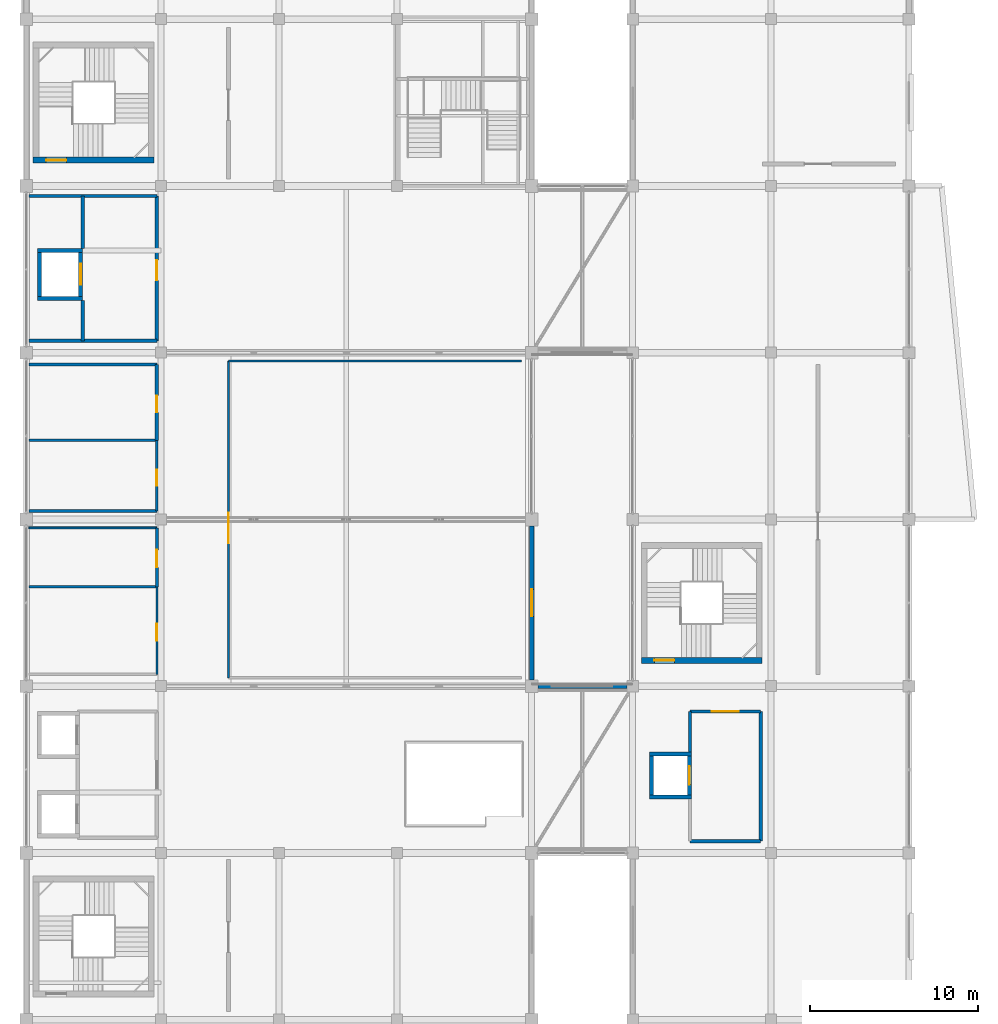
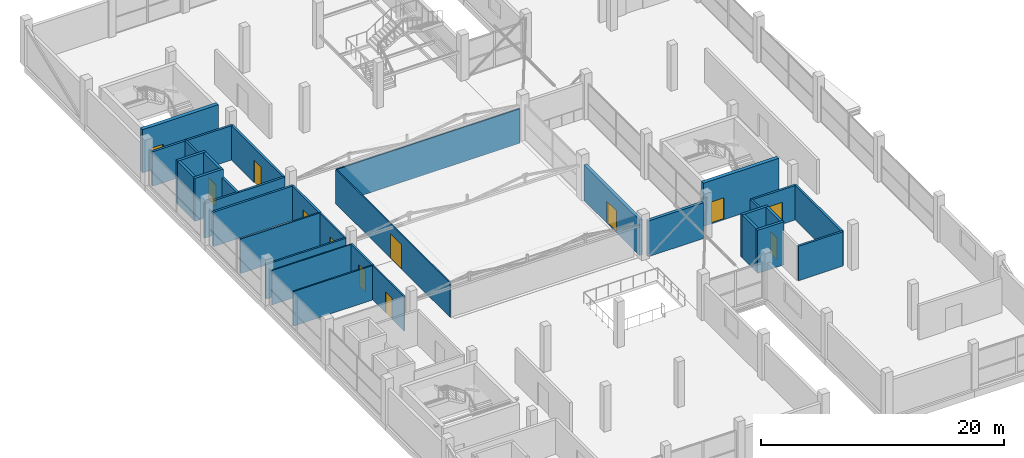
# One storey, part 56 of 69: 32 walls, 12 doors, 12 openings.
"""IFC4 building model written with IfcOpenShell, lengths in metres."""

import ifcopenshell
import ifcopenshell.guid

model = None  # the IFC model being written
_history = None  # IfcOwnerHistory: only IFC2X3 demands one
_inside = {}  # id of a spatial element -> (the spatial element, [elements in it])
_under = {}  # id of a project, library or spatial element -> (it, [spatial elements below it])
_declared = {}  # id of a project -> (the project, [libraries it declares])
_typed = {}  # id of a type object -> (the type object, [elements of that type])
_made_of = {}  # id of a material, layer set ... -> (it, [elements and type objects made of it])


def new_model(schema):
    """Start an empty IFC model of exactly this schema.

    Asked for "IFC4X3", IfcOpenShell would pick the latest addendum, in which some entities
    have other attributes; the version numbers below select the first issue.
    IFC2X3 requires an IfcOwnerHistory on every rooted entity: one is made here for all.
    """
    global model, _history
    if schema == "IFC4X3":
        model = ifcopenshell.file(schema_version=(4, 3, 0, 0))
    else:
        model = ifcopenshell.file(schema=schema)
    _inside.clear()
    _under.clear()
    _declared.clear()
    _typed.clear()
    _made_of.clear()
    _history = None
    if model.schema == "IFC2X3":
        org = make("IfcOrganization", Name="unknown")
        user = make(
            "IfcPersonAndOrganization",
            ThePerson=make("IfcPerson", FamilyName="unknown"),
            TheOrganization=org,
        )
        app = make(
            "IfcApplication",
            ApplicationDeveloper=org,
            Version="unknown",
            ApplicationFullName="unknown",
            ApplicationIdentifier="unknown",
        )
        _history = make(
            "IfcOwnerHistory",
            OwningUser=user,
            OwningApplication=app,
            ChangeAction="ADDED",
            CreationDate=0,
        )
    return model


def make(cls, **values):
    """One entity of the class cls with the attributes given. An attribute that is None is left unset."""
    return model.create_entity(
        cls, **{name: value for name, value in values.items() if value is not None}
    )


def rooted(cls, **values):
    """An entity with a GlobalId (a new one), such as an element, a storey or a relation."""
    return make(cls, GlobalId=ifcopenshell.guid.new(), OwnerHistory=_history, **values)


def si_unit(unit_type, name, prefix=None):
    """IfcSIUnit, for example si_unit("LENGTHUNIT", "METRE", prefix="MILLI")."""
    return make("IfcSIUnit", UnitType=unit_type, Prefix=prefix, Name=name)


def assignment(units):
    """IfcUnitAssignment: the units of a project."""
    return None if units is None else make("IfcUnitAssignment", Units=units)


def point(xyz):
    """IfcCartesianPoint."""
    return None if xyz is None else make("IfcCartesianPoint", Coordinates=xyz)


def direction(xyz):
    """IfcDirection."""
    return None if xyz is None else make("IfcDirection", DirectionRatios=xyz)


def frame(location, z_axis=None, x_axis=None):
    """IfcAxis2Placement3D, a coordinate frame: its origin and axes. An axis left out is left unset."""
    return make(
        "IfcAxis2Placement3D",
        Location=point(location),
        Axis=direction(z_axis),
        RefDirection=direction(x_axis),
    )


def frame_2d(location, x_axis=None):
    """IfcAxis2Placement2D, a coordinate frame in the plane: its origin and x axis."""
    return make(
        "IfcAxis2Placement2D", Location=point(location), RefDirection=direction(x_axis)
    )


def origin():
    """The frame at (0, 0, 0) with its axes left unset."""
    return frame((0.0, 0.0, 0.0))


def place(relative_to, where):
    """IfcLocalPlacement: puts the frame where relative to a parent placement (None: the world)."""
    return make(
        "IfcLocalPlacement", PlacementRelTo=relative_to, RelativePlacement=where
    )


def context(
    kind, dimensions, precision=None, world=None, true_north=None, identifier=None
):
    """IfcGeometricRepresentationContext, for example the 3D "Model" context."""
    return make(
        "IfcGeometricRepresentationContext",
        ContextIdentifier=identifier,
        ContextType=kind,
        CoordinateSpaceDimension=dimensions,
        Precision=precision,
        WorldCoordinateSystem=world,
        TrueNorth=true_north,
    )


def subcontext(parent, identifier, kind, view, scale=None):
    """IfcGeometricRepresentationSubContext, for example "Body" below "Model"."""
    return make(
        "IfcGeometricRepresentationSubContext",
        ContextIdentifier=identifier,
        ContextType=kind,
        ParentContext=parent,
        TargetScale=scale,
        TargetView=view,
    )


def project(units=None, contexts=None):
    """IfcProject with its units and contexts."""
    return rooted(
        "IfcProject",
        Name="project",
        RepresentationContexts=contexts,
        UnitsInContext=assignment(units),
    )


def spatial(cls, under=None, at=None, **own):
    """A site, building, storey or space (cls), placed at a placement, below another one or the project."""
    s = rooted(cls, ObjectPlacement=at, **own)
    if under is not None:
        _under.setdefault(under.id(), (under, []))[1].append(s)
    return s


def profile(cls, at=None, kind="AREA", **sizes):
    """A parametric profile (cls). Its sizes go by their IFC names, for example OverallWidth=200.0."""
    return make(cls, ProfileType=kind, Position=at, **sizes)


def rectangle(**sizes):
    """IfcRectangleProfileDef."""
    return profile("IfcRectangleProfileDef", **sizes)


def extrude(swept, where, along, depth):
    """IfcExtrudedAreaSolid: the profile swept, set in the frame where, extruded along a direction by depth."""
    return make(
        "IfcExtrudedAreaSolid",
        SweptArea=swept,
        Position=where,
        ExtrudedDirection=direction(along),
        Depth=depth,
    )


def shape(context_of_items, identifier, shape_type, items):
    """IfcShapeRepresentation: the items that make up one representation, for example the "Body"."""
    return make(
        "IfcShapeRepresentation",
        ContextOfItems=context_of_items,
        RepresentationIdentifier=identifier,
        RepresentationType=shape_type,
        Items=items,
    )


def material(Name=None, Category=None):
    """IfcMaterial."""
    return make("IfcMaterial", Name=Name, Category=Category)


def layer(
    of_material, thickness, ventilated=None, Name=None, Category=None, Priority=None
):
    """IfcMaterialLayer: one layer of a wall or slab, of a material (None: an air gap)."""
    return make(
        "IfcMaterialLayer",
        Material=of_material,
        LayerThickness=thickness,
        IsVentilated=ventilated,
        Name=Name,
        Category=Category,
        Priority=Priority,
    )


def layer_set(layers, Name=None):
    """IfcMaterialLayerSet."""
    return make("IfcMaterialLayerSet", MaterialLayers=layers, LayerSetName=Name)


def made_of(thing, what):
    """Note that an element or type object is made of a material, layer set ...; save() writes the relation."""
    if what is not None:
        _made_of.setdefault(what.id(), (what, []))[1].append(thing)
    return thing


def type_object(cls, material=None, **own):
    """A type object (cls), such as IfcWallType, which elements share."""
    return made_of(rooted(cls, **own), material)


def element(
    cls,
    number,
    at=None,
    inside=None,
    cuts=None,
    type_object=None,
    material=None,
    context=None,
    identifier="Body",
    shape_type=None,
    held_by="IfcProductDefinitionShape",
    body=None,
    shapes=None,
    **own,
):
    """One element of the class cls, such as IfcWall. Its Tag is "e" and its number.

    at: its placement. inside: the storey or other place that contains it. cuts: it is an
    opening in that element (IfcRelVoidsElement). A single representation is given by context,
    identifier, shape_type and body (its items); several are given by shapes. held_by: the class
    of the entity that holds the representations. save() writes the other relations.
    """
    e = rooted(cls, Tag="e%d" % number, ObjectPlacement=at, **own)
    if body is not None:
        shapes = [shape(context, identifier, shape_type, body)]
    if shapes is not None:
        e.Representation = make(held_by, Representations=shapes)
    if inside is not None:
        _inside.setdefault(inside.id(), (inside, []))[1].append(e)
    if cuts is not None:
        rooted(
            "IfcRelVoidsElement", RelatingBuildingElement=cuts, RelatedOpeningElement=e
        )
    if type_object is not None:
        _typed.setdefault(type_object.id(), (type_object, []))[1].append(e)
    return made_of(e, material)


def fill(opening, filler):
    """IfcRelFillsElement: the door or window that sits in an opening."""
    return rooted(
        "IfcRelFillsElement",
        RelatingOpeningElement=opening,
        RelatedBuildingElement=filler,
    )


def aggregate(whole, parts):
    """IfcRelAggregates: a whole, such as a stair, and the parts it consists of."""
    return rooted("IfcRelAggregates", RelatingObject=whole, RelatedObjects=parts)


def save(model, path):
    """Write the relations noted so far, then the file.

    IfcRelAggregates (storeys below a building ...), IfcRelContainedInSpatialStructure (elements
    in a storey), IfcRelDefinesByType, IfcRelAssociatesMaterial and IfcRelDeclares: one each for
    every whole, place, type object, material and project.
    """
    for whole, parts in _under.values():
        aggregate(whole, parts)
    for where, things in _inside.values():
        rooted(
            "IfcRelContainedInSpatialStructure",
            RelatedElements=things,
            RelatingStructure=where,
        )
    for kind, things in _typed.values():
        rooted("IfcRelDefinesByType", RelatedObjects=things, RelatingType=kind)
    for what, things in _made_of.values():
        rooted("IfcRelAssociatesMaterial", RelatedObjects=things, RelatingMaterial=what)
    for by, libraries in _declared.values():
        rooted("IfcRelDeclares", RelatingContext=by, RelatedDefinitions=libraries)
    model.write(path)


model = new_model("IFC4")

# Units and contexts
model_context = context("Model", 3, precision=1e-05, world=origin(), true_north=direction((0.0, 1.0)))
body_context = subcontext(model_context, "Body", "Model", "MODEL_VIEW")
ifc_project = project(units=[si_unit("LENGTHUNIT", "METRE"), si_unit("AREAUNIT", "SQUARE_METRE"), si_unit("VOLUMEUNIT", "CUBIC_METRE"), si_unit("PLANEANGLEUNIT", "RADIAN"), si_unit("MASSUNIT", "GRAM", prefix="KILO")], contexts=[model_context])

# Site, building, storey
site_placement = place(None, origin())
site = spatial("IfcSite", under=ifc_project, at=site_placement, CompositionType="ELEMENT")
building_placement = place(site_placement, origin())
building = spatial("IfcBuilding", under=site, at=building_placement, Name="Sillaruma Civic Art Gallery", CompositionType="ELEMENT")
storey_placement = place(building_placement, frame((0.0, 0.0, 42.330078125)))
storey = spatial("IfcBuildingStorey", under=building, at=storey_placement, Name="L08", CompositionType="ELEMENT", Elevation=42.330078125)

# Wall, opening, door
ifc_material_1 = material(Name="Concrete H40 (40 MPa)", Category="concrete")
ifc_layer_1 = layer(ifc_material_1, 0.35009765625, Name="Concrete H40 (40 MPa)")
ifc_layer_set_1 = layer_set([ifc_layer_1], Name="Concrete H40 (40 MPa)")
wall_type_1 = type_object("IfcWallType", Name="WAL-CORE-350", PredefinedType="SHEAR", material=ifc_layer_set_1)
wall_1_placement = place(storey_placement, frame((62.409912109375, 80.735107421875, 0.0), z_axis=(0.0, 0.0, 1.0), x_axis=(1.0, 0.0, 0.0)))
wall_1 = element("IfcWall", 1, at=wall_1_placement, inside=storey, type_object=wall_type_1, Name="Stair Core Shear Wall W-CORE-350 (ST-02:L08:S)", PredefinedType="SHEAR", context=body_context, shape_type="SweptSolid", body=[
    extrude(rectangle(XDim=7.18017578125, YDim=0.35009765625, at=frame_2d((3.590087890625, 0.0))), origin(), (0.0, 0.0, 1.0), 4.33984375),
])
opening_1_placement = place(wall_1_placement, frame((0.77001953125, 0.0, 0.0)))
opening_1 = element("IfcOpeningElement", 2, at=opening_1_placement, cuts=wall_1, Name="Opening D-STAIR", PredefinedType="OPENING", context=body_context, shape_type="SweptSolid", body=[
    extrude(rectangle(XDim=1.199951171875, YDim=2.199951171875, at=frame_2d((0.60009765625, 1.10009765625))), frame((0.0, 0.18505859375, 0.0), z_axis=(0.0, -1.0, 0.0), x_axis=(1.0, 0.0, 0.0)), (0.0, 0.0, 1.0), 0.3701171875),
])
ifc_material_2 = material(Name="Galvanised Steel ASTM A653 Gr.50", Category="steel")
door_type_1 = type_object("IfcDoorType", Name="DOR-STAIR-120", OperationType="NOTDEFINED", PredefinedType="DOOR", material=ifc_material_2)
door_1_placement = place(opening_1_placement, origin())
door_1 = element("IfcDoor", 3, at=door_1_placement, inside=storey, type_object=door_type_1, Name="Protected Stair Fire Door (ST-02:L08)", OperationType="SINGLE_SWING_RIGHT", OverallHeight=2.199951171875, OverallWidth=1.199951171875, PredefinedType="DOOR", context=body_context, shape_type="SweptSolid", body=[
    extrude(rectangle(XDim=1.199951171875, YDim=2.199951171875, at=frame_2d((0.60009765625, 1.10009765625))), frame((0.0, 0.02490234375, 0.0), z_axis=(0.0, -1.0, 0.0), x_axis=(1.0, 0.0, 0.0)), (0.0, 0.0, 1.0), 0.050048828125),
])
fill(opening_1, door_1)

wall_2_placement = place(storey_placement, frame((98.510009765625, 51.034912109375, 0.0), z_axis=(0.0, 0.0, 1.0), x_axis=(1.0, 0.0, 0.0)))
wall_2 = element("IfcWall", 4, at=wall_2_placement, inside=storey, type_object=wall_type_1, Name="Stair Core Shear Wall W-CORE-350 (ST-04:L08:S)", PredefinedType="SHEAR", context=body_context, shape_type="SweptSolid", body=[
    extrude(rectangle(XDim=7.179931640625, YDim=0.35009765625, at=frame_2d((3.58984375, 0.0))), origin(), (0.0, 0.0, 1.0), 4.33984375),
])
opening_2_placement = place(wall_2_placement, frame((0.77001953125, 0.0, 0.0)))
opening_2 = element("IfcOpeningElement", 5, at=opening_2_placement, cuts=wall_2, Name="Opening D-STAIR", PredefinedType="OPENING", context=body_context, shape_type="SweptSolid", body=[
    extrude(rectangle(XDim=1.199951171875, YDim=2.199951171875, at=frame_2d((0.60009765625, 1.10009765625))), frame((0.0, 0.18505859375, 0.0), z_axis=(0.0, -1.0, 0.0), x_axis=(1.0, 0.0, 0.0)), (0.0, 0.0, 1.0), 0.3701171875),
])
door_2_placement = place(opening_2_placement, origin())
door_2 = element("IfcDoor", 6, at=door_2_placement, inside=storey, type_object=door_type_1, Name="Protected Stair Fire Door (ST-04:L08)", OperationType="SINGLE_SWING_RIGHT", OverallHeight=2.199951171875, OverallWidth=1.199951171875, PredefinedType="DOOR", context=body_context, shape_type="SweptSolid", body=[
    extrude(rectangle(XDim=1.199951171875, YDim=2.199951171875, at=frame_2d((0.60009765625, 1.10009765625))), frame((0.0, 0.02490234375, 0.0), z_axis=(0.0, -1.0, 0.0), x_axis=(1.0, 0.0, 0.0)), (0.0, 0.0, 1.0), 0.050048828125),
])
fill(opening_2, door_2)

ifc_material_3 = material(Name="Concrete H35 (35 MPa)", Category="concrete")
ifc_layer_2 = layer(ifc_material_3, 0.159912109375, Name="Concrete backup", Category="concrete")
ifc_material_4 = material(Name="Mineral Wool Thermal Insulation", Category="insulation")
ifc_layer_3 = layer(ifc_material_4, 0.090087890625, Name="Thermal insulation", Category="insulation")
ifc_material_5 = material(Name="Anodised Zinc-Aluminium Alloy", Category="aluminium")
ifc_layer_4 = layer(ifc_material_5, 0.030029296875, Name="Rainscreen finish", Category="aluminium")
ifc_layer_set_2 = layer_set([ifc_layer_2, ifc_layer_3, ifc_layer_4], Name="W-EXT-280")
wall_type_2 = type_object("IfcWallType", Name="WAL-EXT-280", PredefinedType="SOLIDWALL", material=ifc_layer_set_2)
wall_3_placement = place(storey_placement, frame((92.0, 49.875, 0.0), z_axis=(0.0, 0.0, 1.0), x_axis=(0.0, 1.0, 0.0)))
wall_3 = element("IfcWall", 7, at=wall_3_placement, inside=storey, type_object=wall_type_2, Name="Exterior Wall W-EXT-280 (EW-L08-WBEC-4)", PredefinedType="SOLIDWALL", context=body_context, shape_type="SweptSolid", body=[
    extrude(rectangle(XDim=9.14990234375, YDim=0.280029296875, at=frame_2d((4.574951171875, 0.0))), origin(), (0.0, 0.0, 1.0), 3.58984375),
])
opening_3_placement = place(wall_3_placement, frame((3.77490234375, 0.0, 0.0)))
opening_3 = element("IfcOpeningElement", 8, at=opening_3_placement, cuts=wall_3, Name="Opening D-TER2", PredefinedType="OPENING", context=body_context, shape_type="SweptSolid", body=[
    extrude(rectangle(XDim=1.60009765625, YDim=2.199951171875, at=frame_2d((0.800048828125, 1.10009765625))), frame((0.0, 0.14990234375, 0.0), z_axis=(0.0, -1.0, 0.0), x_axis=(1.0, 0.0, 0.0)), (0.0, 0.0, 1.0), 0.300048828125),
])
ifc_material_6 = material(Name="Thermally Broken Extruded Aluminium 6063-T6", Category="aluminium")
door_type_2 = type_object("IfcDoorType", Name="DOR-TER-160", OperationType="NOTDEFINED", PredefinedType="DOOR", material=ifc_material_6)
door_3_placement = place(opening_3_placement, frame((1.60009765625, 0.0, 0.0), z_axis=(0.0, 0.0, 1.0), x_axis=(-1.0, 0.0, 0.0)))
door_3 = element("IfcDoor", 9, at=door_3_placement, inside=storey, type_object=door_type_2, Name="L08 Sky Canyon Terrace Door", OperationType="DOUBLE_DOOR_SINGLE_SWING", OverallHeight=2.199951171875, OverallWidth=1.60009765625, PredefinedType="DOOR", context=body_context, shape_type="SweptSolid", body=[
    extrude(rectangle(XDim=1.60009765625, YDim=2.199951171875, at=frame_2d((0.800048828125, 1.10009765625))), frame((0.0, 0.02490234375, 0.0), z_axis=(0.0, -1.0, 0.0), x_axis=(1.0, 0.0, 0.0)), (0.0, 0.0, 1.0), 0.050048828125),
])
fill(opening_3, door_3)

# Walls
wall_4_placement = place(storey_placement, frame((92.375, 49.5, 0.0), z_axis=(0.0, 0.0, 1.0), x_axis=(1.0, 0.0, 0.0)))
element("IfcWall", 10, at=wall_4_placement, inside=storey, type_object=wall_type_2, Name="Exterior Wall W-EXT-280 (EW-BRG-S-L08-N)", PredefinedType="SOLIDWALL", context=body_context, shape_type="SweptSolid", body=[
    extrude(rectangle(XDim=5.27490234375, YDim=0.280029296875, at=frame_2d((2.637451171875, 0.0))), origin(), (0.0, 0.0, 1.0), 3.58984375),
])
ifc_material_7 = material(Name="Concrete Masonry Unit Grade M15", Category="masonry")
ifc_layer_5 = layer(ifc_material_7, 0.199951171875, Name="Concrete Masonry Unit Grade M15")
ifc_layer_set_3 = layer_set([ifc_layer_5], Name="Concrete Masonry Unit Grade M15")
wall_type_3 = type_object("IfcWallType", Name="WAL-LOBBY-200", PredefinedType="SOLIDWALL", material=ifc_layer_set_3)
for number, where, z_axis, x_axis, name in (
    (11, (62.14990234375, 70.0, 0.0), (0.0, 0.0, 1.0), (1.0, 0.0, 0.0), "Interior Wall W-LOBBY-200 (L08-FFL)"),
    (12, (62.14990234375, 78.60009765625, 0.0), (0.0, 0.0, 1.0), (1.0, 0.0, 0.0), "Interior Wall W-LOBBY-200 (L08-FFL)"),
):
    element("IfcWall", number, at=place(storey_placement, frame(where, z_axis=z_axis, x_axis=x_axis)), inside=storey, type_object=wall_type_3, Name=name, PredefinedType="SOLIDWALL", context=body_context, shape_type="SweptSolid", body=[
        extrude(rectangle(XDim=7.60009765625, YDim=0.199951171875, at=frame_2d((3.800048828125, 0.0))), origin(), (0.0, 0.0, 1.0), 3.4599609375),
    ])
wall_5_placement = place(storey_placement, frame((65.35009765625, 70.0, 0.0), z_axis=(0.0, 0.0, 1.0), x_axis=(0.0, 1.0, 0.0)))
element("IfcWall", 13, at=wall_5_placement, inside=storey, type_object=wall_type_3, Name="Interior Wall W-LOBBY-200 (L08-FFL)", PredefinedType="SOLIDWALL", context=body_context, shape_type="SweptSolid", body=[
    extrude(rectangle(XDim=2.39990234375, YDim=0.199951171875, at=frame_2d((1.199951171875, 0.0))), origin(), (0.0, 0.0, 1.0), 3.4599609375),
])
wall_6_placement = place(storey_placement, frame((65.35009765625, 75.5, 0.0), z_axis=(0.0, 0.0, 1.0), x_axis=(0.0, 1.0, 0.0)))
element("IfcWall", 14, at=wall_6_placement, inside=storey, type_object=wall_type_3, Name="Interior Wall W-LOBBY-200 (L08-FFL)", PredefinedType="SOLIDWALL", context=body_context, shape_type="SweptSolid", body=[
    extrude(rectangle(XDim=3.10009765625, YDim=0.199951171875, at=frame_2d((1.550048828125, 0.0))), origin(), (0.0, 0.0, 1.0), 3.4599609375),
])

# Wall, opening, door
wall_7_placement = place(storey_placement, frame((69.75, 70.0, 0.0), z_axis=(0.0, 0.0, 1.0), x_axis=(0.0, 1.0, 0.0)))
wall_7 = element("IfcWall", 15, at=wall_7_placement, inside=storey, type_object=wall_type_3, Name="Interior Wall W-LOBBY-200 (L08-FFL)", PredefinedType="SOLIDWALL", context=body_context, shape_type="SweptSolid", body=[
    extrude(rectangle(XDim=8.60009765625, YDim=0.199951171875, at=frame_2d((4.300048828125, 0.0))), origin(), (0.0, 0.0, 1.0), 3.4599609375),
])
opening_4_placement = place(wall_7_placement, frame((3.60009765625, 0.0, 0.0)))
opening_4 = element("IfcOpeningElement", 16, at=opening_4_placement, cuts=wall_7, Name="Opening D-FFL", PredefinedType="OPENING", context=body_context, shape_type="SweptSolid", body=[
    extrude(rectangle(XDim=1.199951171875, YDim=2.25, at=frame_2d((0.60009765625, 1.125))), frame((0.0, 0.10986328125, 0.0), z_axis=(0.0, -1.0, 0.0), x_axis=(1.0, 0.0, 0.0)), (0.0, 0.0, 1.0), 0.219970703125),
])
door_type_3 = type_object("IfcDoorType", Name="DOR-FFL-120", OperationType="NOTDEFINED", PredefinedType="DOOR", material=ifc_material_2)
door_4_placement = place(opening_4_placement, origin())
door_4 = element("IfcDoor", 17, at=door_4_placement, inside=storey, type_object=door_type_3, Name="Firefighting Lobby Door (D-FFL)", OperationType="SINGLE_SWING_LEFT", OverallHeight=2.25, OverallWidth=1.199951171875, PredefinedType="DOOR", context=body_context, shape_type="SweptSolid", body=[
    extrude(rectangle(XDim=1.199951171875, YDim=2.25, at=frame_2d((0.60009765625, 1.125))), frame((0.0, 0.02490234375, 0.0), z_axis=(0.0, -1.0, 0.0), x_axis=(1.0, 0.0, 0.0)), (0.0, 0.0, 1.0), 0.050048828125),
])
fill(opening_4, door_4)

# Wall
wall_8_placement = place(storey_placement, frame((62.14990234375, 68.60009765625, 0.0), z_axis=(0.0, 0.0, 1.0), x_axis=(1.0, 0.0, 0.0)))
element("IfcWall", 18, at=wall_8_placement, inside=storey, type_object=wall_type_3, Name="Interior Wall W-LOBBY-200 (L08-RSR)", PredefinedType="SOLIDWALL", context=body_context, shape_type="SweptSolid", body=[
    extrude(rectangle(XDim=7.60009765625, YDim=0.199951171875, at=frame_2d((3.800048828125, 0.0))), origin(), (0.0, 0.0, 1.0), 3.4599609375),
])

# Wall, opening, door
wall_9_placement = place(storey_placement, frame((69.75, 64.10009765625, 0.0), z_axis=(0.0, 0.0, 1.0), x_axis=(0.0, 1.0, 0.0)))
wall_9 = element("IfcWall", 19, at=wall_9_placement, inside=storey, type_object=wall_type_3, Name="Interior Wall W-LOBBY-200 (L08-RSR)", PredefinedType="SOLIDWALL", context=body_context, shape_type="SweptSolid", body=[
    extrude(rectangle(XDim=4.5, YDim=0.199951171875, at=frame_2d((2.25, 0.0))), origin(), (0.0, 0.0, 1.0), 3.4599609375),
])
opening_5_placement = place(wall_9_placement, frame((1.64990234375, 0.0, 0.0)))
opening_5 = element("IfcOpeningElement", 20, at=opening_5_placement, cuts=wall_9, Name="Opening D-RISER", PredefinedType="OPENING", context=body_context, shape_type="SweptSolid", body=[
    extrude(rectangle(XDim=1.0, YDim=2.14990234375, at=frame_2d((0.5, 1.074951171875))), frame((0.0, 0.10986328125, 0.0), z_axis=(0.0, -1.0, 0.0), x_axis=(1.0, 0.0, 0.0)), (0.0, 0.0, 1.0), 0.219970703125),
])
door_type_4 = type_object("IfcDoorType", Name="DOR-RISER-100", OperationType="NOTDEFINED", PredefinedType="DOOR", material=ifc_material_2)
door_5_placement = place(opening_5_placement, origin())
door_5 = element("IfcDoor", 21, at=door_5_placement, inside=storey, type_object=door_type_4, Name="MEP Service Riser Door (D-RISER)", OperationType="SINGLE_SWING_LEFT", OverallHeight=2.14990234375, OverallWidth=1.0, PredefinedType="DOOR", context=body_context, shape_type="SweptSolid", body=[
    extrude(rectangle(XDim=1.0, YDim=2.14990234375, at=frame_2d((0.5, 1.074951171875))), frame((0.0, 0.02490234375, 0.0), z_axis=(0.0, -1.0, 0.0), x_axis=(1.0, 0.0, 0.0)), (0.0, 0.0, 1.0), 0.050048828125),
])
fill(opening_5, door_5)

# Walls
wall_10_placement = place(storey_placement, frame((101.39990234375, 40.300048828125, 0.0), z_axis=(0.0, 0.0, 1.0), x_axis=(1.0, 0.0, 0.0)))
element("IfcWall", 22, at=wall_10_placement, inside=storey, type_object=wall_type_3, Name="Interior Wall W-LOBBY-200 (L08-LLE)", PredefinedType="SOLIDWALL", context=body_context, shape_type="SweptSolid", body=[
    extrude(rectangle(XDim=4.2001953125, YDim=0.199951171875, at=frame_2d((2.10009765625, 0.0))), origin(), (0.0, 0.0, 1.0), 3.4599609375),
])
wall_11_placement = place(storey_placement, frame((101.39990234375, 45.60009765625, 0.0), z_axis=(0.0, 0.0, 1.0), x_axis=(0.0, 1.0, 0.0)))
element("IfcWall", 23, at=wall_11_placement, inside=storey, type_object=wall_type_3, Name="Interior Wall W-LOBBY-200 (L08-LLE)", PredefinedType="SOLIDWALL", context=body_context, shape_type="SweptSolid", body=[
    extrude(rectangle(XDim=2.39990234375, YDim=0.199951171875, at=frame_2d((1.199951171875, 0.0))), origin(), (0.0, 0.0, 1.0), 3.4599609375),
])
wall_12_placement = place(storey_placement, frame((105.60009765625, 40.300048828125, 0.0), z_axis=(0.0, 0.0, 1.0), x_axis=(0.0, 1.0, 0.0)))
element("IfcWall", 24, at=wall_12_placement, inside=storey, type_object=wall_type_3, Name="Interior Wall W-LOBBY-200 (L08-LLE)", PredefinedType="SOLIDWALL", context=body_context, shape_type="SweptSolid", body=[
    extrude(rectangle(XDim=7.699951171875, YDim=0.199951171875, at=frame_2d((3.85009765625, 0.0))), origin(), (0.0, 0.0, 1.0), 3.4599609375),
])

# Wall, opening, door
wall_13_placement = place(storey_placement, frame((101.39990234375, 48.0, 0.0), z_axis=(0.0, 0.0, 1.0), x_axis=(1.0, 0.0, 0.0)))
wall_13 = element("IfcWall", 25, at=wall_13_placement, inside=storey, type_object=wall_type_3, Name="Interior Wall W-LOBBY-200 (L08-LLE)", PredefinedType="SOLIDWALL", context=body_context, shape_type="SweptSolid", body=[
    extrude(rectangle(XDim=4.2001953125, YDim=0.199951171875, at=frame_2d((2.10009765625, 0.0))), origin(), (0.0, 0.0, 1.0), 3.4599609375),
])
opening_6_placement = place(wall_13_placement, frame((1.300048828125, 0.0, 0.0)))
opening_6 = element("IfcOpeningElement", 26, at=opening_6_placement, cuts=wall_13, Name="Opening D-LOBBY", PredefinedType="OPENING", context=body_context, shape_type="SweptSolid", body=[
    extrude(rectangle(XDim=1.60009765625, YDim=2.199951171875, at=frame_2d((0.800048828125, 1.10009765625))), frame((0.0, 0.10986328125, 0.0), z_axis=(0.0, -1.0, 0.0), x_axis=(1.0, 0.0, 0.0)), (0.0, 0.0, 1.0), 0.219970703125),
])
door_type_5 = type_object("IfcDoorType", Name="DOR-LOBBY-160", OperationType="NOTDEFINED", PredefinedType="DOOR", material=ifc_material_6)
door_6_placement = place(opening_6_placement, origin())
door_6 = element("IfcDoor", 27, at=door_6_placement, inside=storey, type_object=door_type_5, Name="East Lift Lobby Door (D-LOBBY)", OperationType="DOUBLE_DOOR_SINGLE_SWING", OverallHeight=2.199951171875, OverallWidth=1.60009765625, PredefinedType="DOOR", context=body_context, shape_type="SweptSolid", body=[
    extrude(rectangle(XDim=1.60009765625, YDim=2.199951171875, at=frame_2d((0.800048828125, 1.10009765625))), frame((0.0, 0.02490234375, 0.0), z_axis=(0.0, -1.0, 0.0), x_axis=(1.0, 0.0, 0.0)), (0.0, 0.0, 1.0), 0.050048828125),
])
fill(opening_6, door_6)

# Wall
ifc_material_8 = material(Name="Gypsum Acoustic Board", Category="gypsum")
ifc_layer_6 = layer(ifc_material_8, 0.02490234375, Name="Finish board", Category="gypsum")
ifc_layer_7 = layer(ifc_material_4, 0.06005859375, Name="Acoustic core", Category="insulation")
ifc_material_9 = material(Name="Andean Oak Timber", Category="wood")
ifc_layer_8 = layer(ifc_material_9, 0.02490234375, Name="Gallery lining", Category="wood")
ifc_layer_set_4 = layer_set([ifc_layer_6, ifc_layer_7, ifc_layer_8], Name="W-PT-110")
wall_type_4 = type_object("IfcWallType", Name="WAL-PART-110", PredefinedType="PARTITIONING", material=ifc_layer_set_4)
wall_14_placement = place(storey_placement, frame((62.14990234375, 58.89990234375, 0.0), z_axis=(0.0, 0.0, 1.0), x_axis=(1.0, 0.0, 0.0)))
element("IfcWall", 28, at=wall_14_placement, inside=storey, type_object=wall_type_4, Name="Interior Wall W-PT-110 (L08-WCA)", PredefinedType="PARTITIONING", context=body_context, shape_type="SweptSolid", body=[
    extrude(rectangle(XDim=7.60009765625, YDim=0.110107421875, at=frame_2d((3.800048828125, 0.0))), origin(), (0.0, 0.0, 1.0), 3.4599609375),
])

# Wall, opening, door
wall_15_placement = place(storey_placement, frame((74.0, 50.0, 0.0), z_axis=(0.0, 0.0, 1.0), x_axis=(0.0, 1.0, 0.0)))
wall_15 = element("IfcWall", 29, at=wall_15_placement, inside=storey, type_object=wall_type_4, Name="Interior Wall W-PT-110 (L08-GAL81)", PredefinedType="PARTITIONING", context=body_context, shape_type="SweptSolid", body=[
    extrude(rectangle(XDim=18.800048828125, YDim=0.110107421875, at=frame_2d((9.39990234375, 0.0))), origin(), (0.0, 0.0, 1.0), 3.4599609375),
])
opening_7_placement = place(wall_15_placement, frame((8.0, 0.0, 0.0)))
opening_7 = element("IfcOpeningElement", 30, at=opening_7_placement, cuts=wall_15, Name="Opening D-GAL18", PredefinedType="OPENING", context=body_context, shape_type="SweptSolid", body=[
    extrude(rectangle(XDim=1.800048828125, YDim=2.449951171875, at=frame_2d((0.89990234375, 1.22509765625))), frame((0.0, 0.06494140625, 0.0), z_axis=(0.0, -1.0, 0.0), x_axis=(1.0, 0.0, 0.0)), (0.0, 0.0, 1.0), 0.130126953125),
])
door_type_6 = type_object("IfcDoorType", Name="DOR-GAL-180", OperationType="NOTDEFINED", PredefinedType="DOOR", material=ifc_material_9)
door_7_placement = place(opening_7_placement, origin())
door_7 = element("IfcDoor", 31, at=door_7_placement, inside=storey, type_object=door_type_6, Name="Sky Canyon Paired Gallery Door (D-GAL18)", OperationType="DOUBLE_DOOR_SINGLE_SWING", OverallHeight=2.449951171875, OverallWidth=1.800048828125, PredefinedType="DOOR", context=body_context, shape_type="SweptSolid", body=[
    extrude(rectangle(XDim=1.800048828125, YDim=2.449951171875, at=frame_2d((0.89990234375, 1.22509765625))), frame((0.0, 0.02490234375, 0.0), z_axis=(0.0, -1.0, 0.0), x_axis=(1.0, 0.0, 0.0)), (0.0, 0.0, 1.0), 0.050048828125),
])
fill(opening_7, door_7)

ifc_layer_9 = layer(ifc_material_8, 0.02490234375, Name="Finish board", Category="gypsum")
ifc_layer_10 = layer(ifc_material_4, 0.070068359375, Name="Acoustic core", Category="insulation")
ifc_layer_11 = layer(ifc_material_9, 0.02490234375, Name="Gallery lining", Category="wood")
ifc_layer_set_5 = layer_set([ifc_layer_9, ifc_layer_10, ifc_layer_11], Name="W-PT-120")
wall_type_5 = type_object("IfcWallType", Name="WAL-PART-120", PredefinedType="PARTITIONING", material=ifc_layer_set_5)
wall_16_placement = place(storey_placement, frame((69.75, 50.199951171875, 0.0), z_axis=(0.0, 0.0, 1.0), x_axis=(0.0, 1.0, 0.0)))
wall_16 = element("IfcWall", 32, at=wall_16_placement, inside=storey, type_object=wall_type_5, Name="Interior Wall W-PT-120 (L08-WC1)", PredefinedType="PARTITIONING", context=body_context, shape_type="SweptSolid", body=[
    extrude(rectangle(XDim=5.199951171875, YDim=0.1201171875, at=frame_2d((2.60009765625, 0.0))), origin(), (0.0, 0.0, 1.0), 3.4599609375),
])
opening_8_placement = place(wall_16_placement, frame((2.0, 0.0, 0.0)))
opening_8 = element("IfcOpeningElement", 33, at=opening_8_placement, cuts=wall_16, Name="Opening D-WC10", PredefinedType="OPENING", context=body_context, shape_type="SweptSolid", body=[
    extrude(rectangle(XDim=1.0, YDim=2.10009765625, at=frame_2d((0.5, 1.050048828125))), frame((0.0, 0.070068359375, 0.0), z_axis=(0.0, -1.0, 0.0), x_axis=(1.0, 0.0, 0.0)), (0.0, 0.0, 1.0), 0.14013671875),
])
door_type_7 = type_object("IfcDoorType", Name="DOR-WC-100", OperationType="NOTDEFINED", PredefinedType="DOOR", material=ifc_material_9)
door_8_placement = place(opening_8_placement, origin())
door_8 = element("IfcDoor", 34, at=door_8_placement, inside=storey, type_object=door_type_7, Name="Public WC Door (D-WC10)", OperationType="SINGLE_SWING_RIGHT", OverallHeight=2.10009765625, OverallWidth=1.0, PredefinedType="DOOR", context=body_context, shape_type="SweptSolid", body=[
    extrude(rectangle(XDim=1.0, YDim=2.10009765625, at=frame_2d((0.5, 1.050048828125))), frame((0.0, 0.02490234375, 0.0), z_axis=(0.0, -1.0, 0.0), x_axis=(1.0, 0.0, 0.0)), (0.0, 0.0, 1.0), 0.050048828125),
])
fill(opening_8, door_8)

# Walls
wall_17_placement = place(storey_placement, frame((74.0, 68.800048828125, 0.0), z_axis=(0.0, 0.0, 1.0), x_axis=(1.0, 0.0, 0.0)))
element("IfcWall", 35, at=wall_17_placement, inside=storey, type_object=wall_type_5, Name="Interior Wall W-PT-120 (L08-GAL81)", PredefinedType="PARTITIONING", context=body_context, shape_type="SweptSolid", body=[
    extrude(rectangle(XDim=17.39990234375, YDim=0.1201171875, at=frame_2d((8.699951171875, 0.0))), origin(), (0.0, 0.0, 1.0), 3.4599609375),
])
ifc_layer_12 = layer(ifc_material_8, 0.02490234375, Name="Finish board", Category="gypsum")
ifc_layer_13 = layer(ifc_material_4, 0.080078125, Name="Acoustic core", Category="insulation")
ifc_layer_14 = layer(ifc_material_9, 0.02490234375, Name="Gallery lining", Category="wood")
ifc_layer_set_6 = layer_set([ifc_layer_12, ifc_layer_13, ifc_layer_14], Name="W-PT-130")
wall_type_6 = type_object("IfcWallType", Name="WAL-PART-130", PredefinedType="PARTITIONING", material=ifc_layer_set_6)
wall_18_placement = place(storey_placement, frame((62.14990234375, 55.39990234375, 0.0), z_axis=(0.0, 0.0, 1.0), x_axis=(1.0, 0.0, 0.0)))
element("IfcWall", 36, at=wall_18_placement, inside=storey, type_object=wall_type_6, Name="Interior Wall W-PT-130 (L08-WC1)", PredefinedType="PARTITIONING", context=body_context, shape_type="SweptSolid", body=[
    extrude(rectangle(XDim=7.60009765625, YDim=0.1298828125, at=frame_2d((3.800048828125, 0.0))), origin(), (0.0, 0.0, 1.0), 3.4599609375),
])

# Wall, opening, door
ifc_layer_15 = layer(ifc_material_8, 0.02490234375, Name="Finish board", Category="gypsum")
ifc_layer_16 = layer(ifc_material_4, 0.090087890625, Name="Acoustic core", Category="insulation")
ifc_layer_17 = layer(ifc_material_9, 0.02490234375, Name="Gallery lining", Category="wood")
ifc_layer_set_7 = layer_set([ifc_layer_15, ifc_layer_16, ifc_layer_17], Name="W-PT-140")
wall_type_7 = type_object("IfcWallType", Name="WAL-PART-140", PredefinedType="PARTITIONING", material=ifc_layer_set_7)
wall_19_placement = place(storey_placement, frame((69.75, 59.89990234375, 0.0), z_axis=(0.0, 0.0, 1.0), x_axis=(0.0, 1.0, 0.0)))
wall_19 = element("IfcWall", 37, at=wall_19_placement, inside=storey, type_object=wall_type_7, Name="Interior Wall W-PT-140 (L08-CLN)", PredefinedType="PARTITIONING", context=body_context, shape_type="SweptSolid", body=[
    extrude(rectangle(XDim=4.2001953125, YDim=0.139892578125, at=frame_2d((2.10009765625, 0.0))), origin(), (0.0, 0.0, 1.0), 3.4599609375),
])
opening_9_placement = place(wall_19_placement, frame((1.5, 0.0, 0.0)))
opening_9 = element("IfcOpeningElement", 38, at=opening_9_placement, cuts=wall_19, Name="Opening D-SVC09", PredefinedType="OPENING", context=body_context, shape_type="SweptSolid", body=[
    extrude(rectangle(XDim=0.949951171875, YDim=2.10009765625, at=frame_2d((0.47509765625, 1.050048828125))), frame((0.0, 0.079833984375, 0.0), z_axis=(0.0, -1.0, 0.0), x_axis=(1.0, 0.0, 0.0)), (0.0, 0.0, 1.0), 0.159912109375),
])
door_type_8 = type_object("IfcDoorType", Name="DOR-SVC-095", OperationType="NOTDEFINED", PredefinedType="DOOR", material=ifc_material_9)
door_9_placement = place(opening_9_placement, origin())
door_9 = element("IfcDoor", 39, at=door_9_placement, inside=storey, type_object=door_type_8, Name="Cleaner Store Door (D-SVC09)", OperationType="SINGLE_SWING_RIGHT", OverallHeight=2.10009765625, OverallWidth=0.949951171875, PredefinedType="DOOR", context=body_context, shape_type="SweptSolid", body=[
    extrude(rectangle(XDim=0.949951171875, YDim=2.10009765625, at=frame_2d((0.47509765625, 1.050048828125))), frame((0.0, 0.02490234375, 0.0), z_axis=(0.0, -1.0, 0.0), x_axis=(1.0, 0.0, 0.0)), (0.0, 0.0, 1.0), 0.050048828125),
])
fill(opening_9, door_9)

# Walls
ifc_layer_18 = layer(ifc_material_8, 0.02490234375, Name="Finish board", Category="gypsum")
ifc_layer_19 = layer(ifc_material_4, 0.10009765625, Name="Acoustic core", Category="insulation")
ifc_layer_20 = layer(ifc_material_9, 0.02490234375, Name="Gallery lining", Category="wood")
ifc_layer_set_8 = layer_set([ifc_layer_18, ifc_layer_19, ifc_layer_20], Name="W-PT-150")
wall_type_8 = type_object("IfcWallType", Name="WAL-PART-150", PredefinedType="PARTITIONING", material=ifc_layer_set_8)
wall_20_placement = place(storey_placement, frame((62.14990234375, 64.10009765625, 0.0), z_axis=(0.0, 0.0, 1.0), x_axis=(1.0, 0.0, 0.0)))
element("IfcWall", 40, at=wall_20_placement, inside=storey, type_object=wall_type_8, Name="Interior Wall W-PT-150 (L08-CLN)", PredefinedType="PARTITIONING", context=body_context, shape_type="SweptSolid", body=[
    extrude(rectangle(XDim=7.60009765625, YDim=0.14990234375, at=frame_2d((3.800048828125, 0.0))), origin(), (0.0, 0.0, 1.0), 3.4599609375),
])
ifc_layer_21 = layer(ifc_material_8, 0.02490234375, Name="Finish board", Category="gypsum")
ifc_layer_22 = layer(ifc_material_4, 0.114990234375, Name="Acoustic core", Category="insulation")
ifc_layer_23 = layer(ifc_material_9, 0.02490234375, Name="Gallery lining", Category="wood")
ifc_layer_set_9 = layer_set([ifc_layer_21, ifc_layer_22, ifc_layer_23], Name="W-PT-165")
wall_type_9 = type_object("IfcWallType", Name="WAL-PART-165", PredefinedType="PARTITIONING", material=ifc_layer_set_9)
wall_21_placement = place(storey_placement, frame((62.14990234375, 59.89990234375, 0.0), z_axis=(0.0, 0.0, 1.0), x_axis=(1.0, 0.0, 0.0)))
element("IfcWall", 41, at=wall_21_placement, inside=storey, type_object=wall_type_9, Name="Interior Wall W-PT-165 (L08-CLN)", PredefinedType="PARTITIONING", context=body_context, shape_type="SweptSolid", body=[
    extrude(rectangle(XDim=7.60009765625, YDim=0.1650390625, at=frame_2d((3.800048828125, 0.0))), origin(), (0.0, 0.0, 1.0), 3.4599609375),
])

# Wall, opening, door
ifc_layer_24 = layer(ifc_material_8, 0.02490234375, Name="Finish board", Category="gypsum")
ifc_layer_25 = layer(ifc_material_4, 0.1298828125, Name="Acoustic core", Category="insulation")
ifc_layer_26 = layer(ifc_material_9, 0.02490234375, Name="Gallery lining", Category="wood")
ifc_layer_set_10 = layer_set([ifc_layer_24, ifc_layer_25, ifc_layer_26], Name="W-PT-180")
wall_type_10 = type_object("IfcWallType", Name="WAL-PART-180", PredefinedType="PARTITIONING", material=ifc_layer_set_10)
wall_22_placement = place(storey_placement, frame((69.75, 55.39990234375, 0.0), z_axis=(0.0, 0.0, 1.0), x_axis=(0.0, 1.0, 0.0)))
wall_22 = element("IfcWall", 42, at=wall_22_placement, inside=storey, type_object=wall_type_10, Name="Interior Wall W-PT-180 (L08-WCA)", PredefinedType="PARTITIONING", context=body_context, shape_type="SweptSolid", body=[
    extrude(rectangle(XDim=3.5, YDim=0.179931640625, at=frame_2d((1.75, 0.0))), origin(), (0.0, 0.0, 1.0), 3.4599609375),
])
opening_10_placement = place(wall_22_placement, frame((1.14990234375, 0.0, 0.0)))
opening_10 = element("IfcOpeningElement", 43, at=opening_10_placement, cuts=wall_22, Name="Opening D-AWC10", PredefinedType="OPENING", context=body_context, shape_type="SweptSolid", body=[
    extrude(rectangle(XDim=1.050048828125, YDim=2.14990234375, at=frame_2d((0.52490234375, 1.074951171875))), frame((0.0, 0.099853515625, 0.0), z_axis=(0.0, -1.0, 0.0), x_axis=(1.0, 0.0, 0.0)), (0.0, 0.0, 1.0), 0.199951171875),
])
door_type_9 = type_object("IfcDoorType", Name="DOR-AWC-105", OperationType="NOTDEFINED", PredefinedType="DOOR", material=ifc_material_9)
door_10_placement = place(opening_10_placement, origin())
door_10 = element("IfcDoor", 44, at=door_10_placement, inside=storey, type_object=door_type_9, Name="Accessible WC Door (D-AWC10)", OperationType="SINGLE_SWING_LEFT", OverallHeight=2.14990234375, OverallWidth=1.050048828125, PredefinedType="DOOR", context=body_context, shape_type="SweptSolid", body=[
    extrude(rectangle(XDim=1.050048828125, YDim=2.14990234375, at=frame_2d((0.52490234375, 1.074951171875))), frame((0.0, 0.02490234375, 0.0), z_axis=(0.0, -1.0, 0.0), x_axis=(1.0, 0.0, 0.0)), (0.0, 0.0, 1.0), 0.050048828125),
])
fill(opening_10, door_10)

# Walls
ifc_layer_27 = layer(ifc_material_1, 0.25, Name="Concrete H40 (40 MPa)")
ifc_layer_set_11 = layer_set([ifc_layer_27], Name="Concrete H40 (40 MPa)")
wall_type_11 = type_object("IfcWallType", Name="WAL-SHAFT-250", PredefinedType="SOLIDWALL", material=ifc_layer_set_11)
for number, where, z_axis, x_axis, name in (
    (45, (99.0, 42.925048828125, 0.0), (0.0, 0.0, 1.0), (1.0, 0.0, 0.0), "Lift Shaft Wall W-SHAFT-250 (PL-03:L08:S)"),
    (46, (99.0, 45.47509765625, 0.0), (0.0, 0.0, 1.0), (1.0, 0.0, 0.0), "Lift Shaft Wall W-SHAFT-250 (PL-03:L08:N)"),
):
    element("IfcWall", number, at=place(storey_placement, frame(where, z_axis=z_axis, x_axis=x_axis)), inside=storey, type_object=wall_type_11, Name=name, PredefinedType="SOLIDWALL", context=body_context, shape_type="SweptSolid", body=[
        extrude(rectangle(XDim=2.5, YDim=0.25, at=frame_2d((1.25, 0.0))), origin(), (0.0, 0.0, 1.0), 4.31982421875),
    ])
wall_23_placement = place(storey_placement, frame((99.125, 43.050048828125, 0.0), z_axis=(0.0, 0.0, 1.0), x_axis=(0.0, 1.0, 0.0)))
element("IfcWall", 47, at=wall_23_placement, inside=storey, type_object=wall_type_11, Name="Lift Shaft Wall W-SHAFT-250 (PL-03:L08:W)", PredefinedType="SOLIDWALL", context=body_context, shape_type="SweptSolid", body=[
    extrude(rectangle(XDim=2.300048828125, YDim=0.25, at=frame_2d((1.14990234375, 0.0))), origin(), (0.0, 0.0, 1.0), 4.31982421875),
])

# Wall, opening, door
wall_24_placement = place(storey_placement, frame((101.375, 43.050048828125, 0.0), z_axis=(0.0, 0.0, 1.0), x_axis=(0.0, 1.0, 0.0)))
wall_24 = element("IfcWall", 48, at=wall_24_placement, inside=storey, type_object=wall_type_11, Name="Lift Shaft Wall W-SHAFT-250 (PL-03:L08:E)", PredefinedType="SOLIDWALL", context=body_context, shape_type="SweptSolid", body=[
    extrude(rectangle(XDim=2.300048828125, YDim=0.25, at=frame_2d((1.14990234375, 0.0))), origin(), (0.0, 0.0, 1.0), 4.31982421875),
])
opening_11_placement = place(wall_24_placement, frame((0.60009765625, 0.0, 0.0)))
opening_11 = element("IfcOpeningElement", 49, at=opening_11_placement, cuts=wall_24, Name="Opening LD-01", PredefinedType="OPENING", context=body_context, shape_type="SweptSolid", body=[
    extrude(rectangle(XDim=1.10009765625, YDim=2.199951171875, at=frame_2d((0.550048828125, 1.10009765625))), frame((0.0, 0.135009765625, 0.0), z_axis=(0.0, -1.0, 0.0), x_axis=(1.0, 0.0, 0.0)), (0.0, 0.0, 1.0), 0.27001953125),
])
door_type_10 = type_object("IfcDoorType", Name="DOR-LD-01", OperationType="NOTDEFINED", PredefinedType="DOOR", material=ifc_material_2)
door_11_placement = place(opening_11_placement, origin())
door_11 = element("IfcDoor", 50, at=door_11_placement, inside=storey, type_object=door_type_10, Name="Lift Sliding Landing Door LD-01 (PL-03:L08)", OperationType="DOUBLE_DOOR_SLIDING", OverallHeight=2.199951171875, OverallWidth=1.10009765625, PredefinedType="DOOR", context=body_context, shape_type="SweptSolid", body=[
    extrude(rectangle(XDim=1.10009765625, YDim=2.199951171875, at=frame_2d((0.550048828125, 1.10009765625))), frame((0.0, 0.02490234375, 0.0), z_axis=(0.0, -1.0, 0.0), x_axis=(1.0, 0.0, 0.0)), (0.0, 0.0, 1.0), 0.050048828125),
])
fill(opening_11, door_11)

# Walls
for number, where, z_axis, x_axis, name in (
    (51, (62.64990234375, 72.52490234375, 0.0), (0.0, 0.0, 1.0), (1.0, 0.0, 0.0), "Lift Shaft Wall W-SHAFT-250 (FFL-01:L08:S)"),
    (52, (62.64990234375, 75.375, 0.0), (0.0, 0.0, 1.0), (1.0, 0.0, 0.0), "Lift Shaft Wall W-SHAFT-250 (FFL-01:L08:N)"),
):
    element("IfcWall", number, at=place(storey_placement, frame(where, z_axis=z_axis, x_axis=x_axis)), inside=storey, type_object=wall_type_11, Name=name, PredefinedType="SOLIDWALL", context=body_context, shape_type="SweptSolid", body=[
        extrude(rectangle(XDim=2.7001953125, YDim=0.25, at=frame_2d((1.35009765625, 0.0))), origin(), (0.0, 0.0, 1.0), 4.31982421875),
    ])
wall_25_placement = place(storey_placement, frame((62.77490234375, 72.64990234375, 0.0), z_axis=(0.0, 0.0, 1.0), x_axis=(0.0, 1.0, 0.0)))
element("IfcWall", 53, at=wall_25_placement, inside=storey, type_object=wall_type_11, Name="Lift Shaft Wall W-SHAFT-250 (FFL-01:L08:W)", PredefinedType="SOLIDWALL", context=body_context, shape_type="SweptSolid", body=[
    extrude(rectangle(XDim=2.60009765625, YDim=0.25, at=frame_2d((1.300048828125, 0.0))), origin(), (0.0, 0.0, 1.0), 4.31982421875),
])

# Wall, opening, door
wall_26_placement = place(storey_placement, frame((65.22509765625, 72.64990234375, 0.0), z_axis=(0.0, 0.0, 1.0), x_axis=(0.0, 1.0, 0.0)))
wall_26 = element("IfcWall", 54, at=wall_26_placement, inside=storey, type_object=wall_type_11, Name="Lift Shaft Wall W-SHAFT-250 (FFL-01:L08:E)", PredefinedType="SOLIDWALL", context=body_context, shape_type="SweptSolid", body=[
    extrude(rectangle(XDim=2.60009765625, YDim=0.25, at=frame_2d((1.300048828125, 0.0))), origin(), (0.0, 0.0, 1.0), 4.31982421875),
])
opening_12_placement = place(wall_26_placement, frame((0.675048828125, 0.0, 0.0)))
opening_12 = element("IfcOpeningElement", 55, at=opening_12_placement, cuts=wall_26, Name="Opening LD-02", PredefinedType="OPENING", context=body_context, shape_type="SweptSolid", body=[
    extrude(rectangle(XDim=1.25, YDim=2.199951171875, at=frame_2d((0.625, 1.10009765625))), frame((0.0, 0.135009765625, 0.0), z_axis=(0.0, -1.0, 0.0), x_axis=(1.0, 0.0, 0.0)), (0.0, 0.0, 1.0), 0.27001953125),
])
door_type_11 = type_object("IfcDoorType", Name="DOR-LD-02", OperationType="NOTDEFINED", PredefinedType="DOOR", material=ifc_material_2)
door_12_placement = place(opening_12_placement, origin())
door_12 = element("IfcDoor", 56, at=door_12_placement, inside=storey, type_object=door_type_11, Name="Lift Sliding Landing Door LD-02 (FFL-01:L08)", OperationType="DOUBLE_DOOR_SLIDING", OverallHeight=2.199951171875, OverallWidth=1.25, PredefinedType="DOOR", context=body_context, shape_type="SweptSolid", body=[
    extrude(rectangle(XDim=1.25, YDim=2.199951171875, at=frame_2d((0.625, 1.10009765625))), frame((0.0, 0.02490234375, 0.0), z_axis=(0.0, -1.0, 0.0), x_axis=(1.0, 0.0, 0.0)), (0.0, 0.0, 1.0), 0.050048828125),
])
fill(opening_12, door_12)

save(model, "model.ifc")
